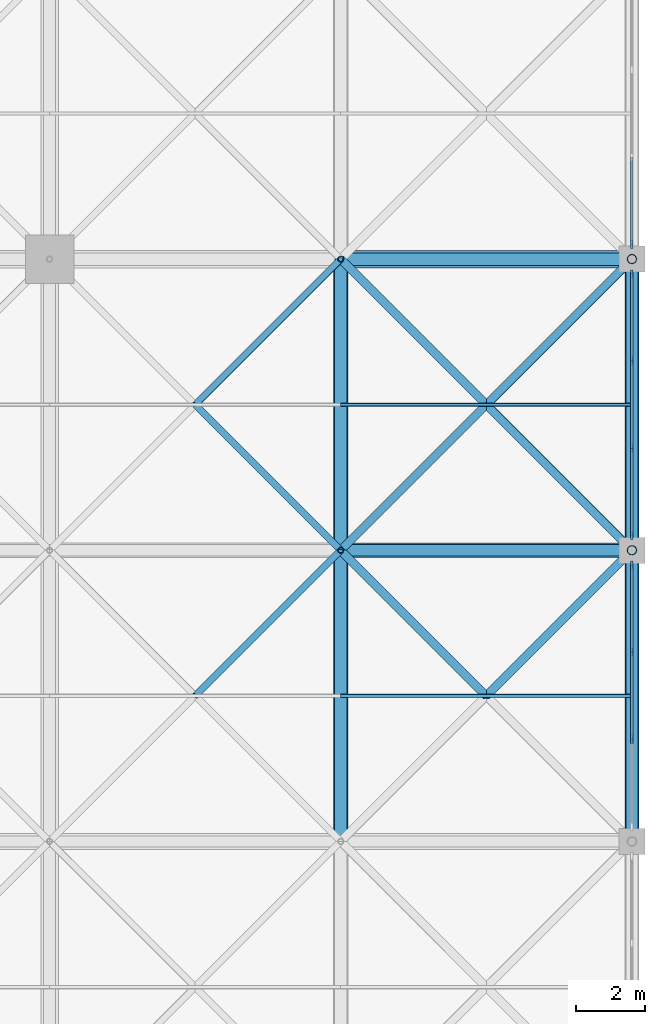
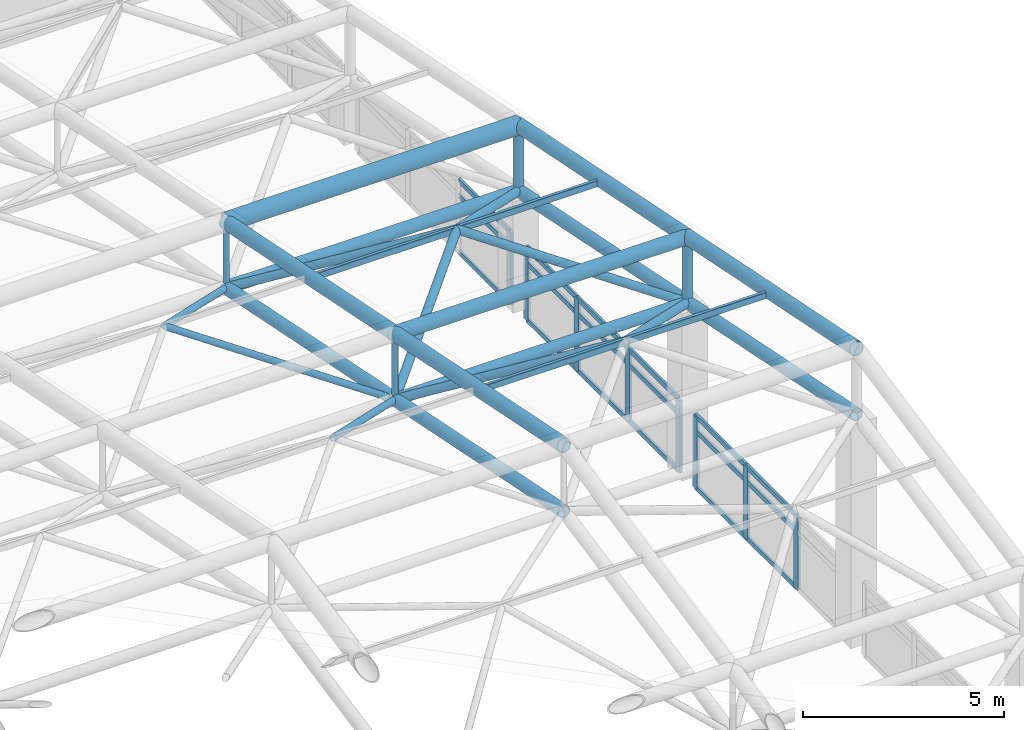
# One storey, part 64 of 110: 53 members, 3 elements without a shape of their own.
"""IFC4 building model written with IfcOpenShell, lengths in metres."""

from ifc_helpers import new_model, si_unit, direction, frame, origin, origin_2d, place, context, subcontext, project, spatial, rectangle, hollow_rectangle, hollow_circle, extrude, material, layer, layer_set, material_profile, profile_set, type_object, element, aggregate, save


model = new_model("IFC4")

# Units and contexts
model_context = context("Model", 3, precision=1e-05, world=origin(), true_north=direction((0.0, 1.0)))
body_context = subcontext(model_context, "Body", "Model", "MODEL_VIEW")
ifc_project = project(units=[si_unit("LENGTHUNIT", "METRE"), si_unit("AREAUNIT", "SQUARE_METRE"), si_unit("VOLUMEUNIT", "CUBIC_METRE"), si_unit("PLANEANGLEUNIT", "RADIAN"), si_unit("MASSUNIT", "GRAM", prefix="KILO")], contexts=[model_context])

# Site, building, storey
site_placement = place(None, origin())
site = spatial("IfcSite", under=ifc_project, at=site_placement, CompositionType="ELEMENT")
building_placement = place(site_placement, origin())
building = spatial("IfcBuilding", under=site, at=building_placement, Name="Qawsi Khor Wholesale Market", CompositionType="ELEMENT")
storey_placement = place(building_placement, frame((0.0, 0.0, 11.39990234375)))
storey = spatial("IfcBuildingStorey", under=building, at=storey_placement, Name="L02", CompositionType="ELEMENT", Elevation=11.39990234375)

# Curtain wall, members
ifc_material_1 = material(Name="Aluminium Anodised Bronze", Category="aluminium")
ifc_layer = layer(ifc_material_1, 0.199951171875, Name="Aluminium Anodised Bronze")
ifc_layer_set = layer_set([ifc_layer], Name="Aluminium Anodised Bronze")
curtain_wall_type = type_object("IfcCurtainWallType", Name="Trading Hall North-Light Curtain Wall CW-03", PredefinedType="NOTDEFINED", material=ifc_layer_set)
curtain_wall_1_placement = place(storey_placement, origin())
curtain_wall_1 = element("IfcCurtainWall", 1, at=curtain_wall_1_placement, inside=storey, type_object=curtain_wall_type, Name="Curtain wall CW-CW-03-L02-138", PredefinedType="NOTDEFINED")
ifc_material_profile_1 = material_profile(ifc_material_1, rectangle(XDim=0.074951171875, YDim=0.219970703125, at=origin_2d()), Name="ALU MULLION 75x220")
ifc_profile_set_1 = profile_set([ifc_material_profile_1], Name="Aluminium Anodised Bronze")
member_type_1 = type_object("IfcMemberType", Name="Curtain Wall Mullion CW-03 ALU MULLION 75x220", PredefinedType="MULLION", material=ifc_profile_set_1)
member_1_placement = place(storey_placement, frame((218.39990234375, 78.540771484375, -0.289794921875), z_axis=(0.0, 0.0, 1.0), x_axis=(1.0, 0.0, 0.0)))
member_1 = element("IfcMember", 2, at=member_1_placement, type_object=member_type_1, Name="Mullion CW-CW-03-L02-138-M01", PredefinedType="MULLION", context=body_context, shape_type="SweptSolid", body=[
    extrude(rectangle(XDim=0.074951171875, YDim=0.219970703125, at=origin_2d()), origin(), (0.0, 0.0, 1.0), 2.18994140625),
])
member_2_placement = place(storey_placement, frame((218.39990234375, 81.05908203125, -0.289794921875), z_axis=(0.0, 0.0, 1.0), x_axis=(1.0, 0.0, 0.0)))
member_2 = element("IfcMember", 3, at=member_2_placement, type_object=member_type_1, Name="Mullion CW-CW-03-L02-138-M02", PredefinedType="MULLION", context=body_context, shape_type="SweptSolid", body=[
    extrude(rectangle(XDim=0.074951171875, YDim=0.219970703125, at=origin_2d()), origin(), (0.0, 0.0, 1.0), 2.18994140625),
])
member_3_placement = place(storey_placement, frame((218.39990234375, 83.577392578125, -0.289794921875), z_axis=(0.0, 0.0, 1.0), x_axis=(1.0, 0.0, 0.0)))
member_3 = element("IfcMember", 4, at=member_3_placement, type_object=member_type_1, Name="Mullion CW-CW-03-L02-138-M03", PredefinedType="MULLION", context=body_context, shape_type="SweptSolid", body=[
    extrude(rectangle(XDim=0.074951171875, YDim=0.219970703125, at=origin_2d()), origin(), (0.0, 0.0, 1.0), 2.18994140625),
])

curtain_wall_2_placement = place(storey_placement, origin())
curtain_wall_2 = element("IfcCurtainWall", 5, at=curtain_wall_2_placement, inside=storey, type_object=curtain_wall_type, Name="Curtain wall CW-CW-03-L02-140", PredefinedType="NOTDEFINED")
member_4_placement = place(storey_placement, frame((218.39990234375, 84.422607421875, -0.289794921875), z_axis=(0.0, 0.0, 1.0), x_axis=(1.0, 0.0, 0.0)))
member_4 = element("IfcMember", 6, at=member_4_placement, type_object=member_type_1, Name="Mullion CW-CW-03-L02-140-M00", PredefinedType="MULLION", context=body_context, shape_type="SweptSolid", body=[
    extrude(rectangle(XDim=0.074951171875, YDim=0.219970703125, at=origin_2d()), origin(), (0.0, 0.0, 1.0), 2.18994140625),
])
member_5_placement = place(storey_placement, frame((218.39990234375, 86.94091796875, -0.289794921875), z_axis=(0.0, 0.0, 1.0), x_axis=(1.0, 0.0, 0.0)))
member_5 = element("IfcMember", 7, at=member_5_placement, type_object=member_type_1, Name="Mullion CW-CW-03-L02-140-M01", PredefinedType="MULLION", context=body_context, shape_type="SweptSolid", body=[
    extrude(rectangle(XDim=0.074951171875, YDim=0.219970703125, at=origin_2d()), origin(), (0.0, 0.0, 1.0), 2.18994140625),
])
member_6_placement = place(storey_placement, frame((218.39990234375, 89.459228515625, -0.289794921875), z_axis=(0.0, 0.0, 1.0), x_axis=(1.0, 0.0, 0.0)))
member_6 = element("IfcMember", 8, at=member_6_placement, type_object=member_type_1, Name="Mullion CW-CW-03-L02-140-M02", PredefinedType="MULLION", context=body_context, shape_type="SweptSolid", body=[
    extrude(rectangle(XDim=0.074951171875, YDim=0.219970703125, at=origin_2d()), origin(), (0.0, 0.0, 1.0), 2.18994140625),
])
member_7_placement = place(storey_placement, frame((218.39990234375, 91.9775390625, -0.289794921875), z_axis=(0.0, 0.0, 1.0), x_axis=(1.0, 0.0, 0.0)))
member_7 = element("IfcMember", 9, at=member_7_placement, type_object=member_type_1, Name="Mullion CW-CW-03-L02-140-M03", PredefinedType="MULLION", context=body_context, shape_type="SweptSolid", body=[
    extrude(rectangle(XDim=0.074951171875, YDim=0.219970703125, at=origin_2d()), origin(), (0.0, 0.0, 1.0), 2.18994140625),
])

# Curtain wall, member
curtain_wall_3_placement = place(storey_placement, origin())
curtain_wall_3 = element("IfcCurtainWall", 10, at=curtain_wall_3_placement, inside=storey, type_object=curtain_wall_type, Name="Curtain wall CW-CW-03-L02-142", PredefinedType="NOTDEFINED")
member_8_placement = place(storey_placement, frame((218.39990234375, 92.822509765625, -0.289794921875), z_axis=(0.0, 0.0, 1.0), x_axis=(1.0, 0.0, 0.0)))
member_8 = element("IfcMember", 11, at=member_8_placement, type_object=member_type_1, Name="Mullion CW-CW-03-L02-142-M00", PredefinedType="MULLION", context=body_context, shape_type="SweptSolid", body=[
    extrude(rectangle(XDim=0.074951171875, YDim=0.219970703125, at=origin_2d()), origin(), (0.0, 0.0, 1.0), 2.18994140625),
])

# Member
ifc_material_profile_2 = material_profile(ifc_material_1, rectangle(XDim=0.070068359375, YDim=0.14990234375, at=origin_2d()), Name="ALU TRANSOM 70x150")
ifc_profile_set_2 = profile_set([ifc_material_profile_2], Name="Aluminium Anodised Bronze")
member_type_2 = type_object("IfcMemberType", Name="Curtain Wall Transom CW-03 ALU TRANSOM 70x150", PredefinedType="USERDEFINED", material=ifc_profile_set_2)
member_9_placement = place(storey_placement, frame((218.39990234375, 78.540771484375, -0.27001953125), z_axis=(0.0, 1.0, 0.0), x_axis=(-1.0, 0.0, 0.0)))
member_9 = element("IfcMember", 12, at=member_9_placement, type_object=member_type_2, Name="Transom CW-CW-03-L02-138-T0_01", ObjectType="TRANSOM", PredefinedType="USERDEFINED", context=body_context, shape_type="SweptSolid", body=[
    extrude(rectangle(XDim=0.070068359375, YDim=0.14990234375, at=origin_2d()), origin(), (0.0, 0.0, 1.0), 2.518310546875),
])

member_10_placement = place(storey_placement, frame((218.39990234375, 81.05908203125, -0.27001953125), z_axis=(0.0, 1.0, 0.0), x_axis=(-1.0, 0.0, 0.0)))
member_10 = element("IfcMember", 13, at=member_10_placement, type_object=member_type_2, Name="Transom CW-CW-03-L02-138-T0_02", ObjectType="TRANSOM", PredefinedType="USERDEFINED", context=body_context, shape_type="SweptSolid", body=[
    extrude(rectangle(XDim=0.070068359375, YDim=0.14990234375, at=origin_2d()), origin(), (0.0, 0.0, 1.0), 2.518310546875),
])

member_11_placement = place(storey_placement, frame((218.39990234375, 78.540771484375, 1.4501953125), z_axis=(0.0, 1.0, 0.0), x_axis=(-1.0, 0.0, 0.0)))
member_11 = element("IfcMember", 14, at=member_11_placement, type_object=member_type_2, Name="Transom CW-CW-03-L02-138-T1_01", ObjectType="TRANSOM", PredefinedType="USERDEFINED", context=body_context, shape_type="SweptSolid", body=[
    extrude(rectangle(XDim=0.070068359375, YDim=0.14990234375, at=origin_2d()), origin(), (0.0, 0.0, 1.0), 2.518310546875),
])

member_12_placement = place(storey_placement, frame((218.39990234375, 81.05908203125, 1.4501953125), z_axis=(0.0, 1.0, 0.0), x_axis=(-1.0, 0.0, 0.0)))
member_12 = element("IfcMember", 15, at=member_12_placement, type_object=member_type_2, Name="Transom CW-CW-03-L02-138-T1_02", ObjectType="TRANSOM", PredefinedType="USERDEFINED", context=body_context, shape_type="SweptSolid", body=[
    extrude(rectangle(XDim=0.070068359375, YDim=0.14990234375, at=origin_2d()), origin(), (0.0, 0.0, 1.0), 2.518310546875),
])

member_13_placement = place(storey_placement, frame((218.39990234375, 78.540771484375, 1.900146484375), z_axis=(0.0, 1.0, 0.0), x_axis=(-1.0, 0.0, 0.0)))
member_13 = element("IfcMember", 16, at=member_13_placement, type_object=member_type_2, Name="Transom CW-CW-03-L02-138-T2_01", ObjectType="TRANSOM", PredefinedType="USERDEFINED", context=body_context, shape_type="SweptSolid", body=[
    extrude(rectangle(XDim=0.070068359375, YDim=0.14990234375, at=origin_2d()), origin(), (0.0, 0.0, 1.0), 2.518310546875),
])

member_14_placement = place(storey_placement, frame((218.39990234375, 81.05908203125, 1.900146484375), z_axis=(0.0, 1.0, 0.0), x_axis=(-1.0, 0.0, 0.0)))
member_14 = element("IfcMember", 17, at=member_14_placement, type_object=member_type_2, Name="Transom CW-CW-03-L02-138-T2_02", ObjectType="TRANSOM", PredefinedType="USERDEFINED", context=body_context, shape_type="SweptSolid", body=[
    extrude(rectangle(XDim=0.070068359375, YDim=0.14990234375, at=origin_2d()), origin(), (0.0, 0.0, 1.0), 2.518310546875),
])

aggregate(curtain_wall_1, [member_1, member_2, member_3, member_9, member_10, member_11, member_12, member_13, member_14])

member_15_placement = place(storey_placement, frame((218.39990234375, 84.422607421875, -0.27001953125), z_axis=(0.0, 1.0, 0.0), x_axis=(-1.0, 0.0, 0.0)))
member_15 = element("IfcMember", 18, at=member_15_placement, type_object=member_type_2, Name="Transom CW-CW-03-L02-140-T0_00", ObjectType="TRANSOM", PredefinedType="USERDEFINED", context=body_context, shape_type="SweptSolid", body=[
    extrude(rectangle(XDim=0.070068359375, YDim=0.14990234375, at=origin_2d()), origin(), (0.0, 0.0, 1.0), 2.518310546875),
])

member_16_placement = place(storey_placement, frame((218.39990234375, 86.94091796875, -0.27001953125), z_axis=(0.0, 1.0, 0.0), x_axis=(-1.0, 0.0, 0.0)))
member_16 = element("IfcMember", 19, at=member_16_placement, type_object=member_type_2, Name="Transom CW-CW-03-L02-140-T0_01", ObjectType="TRANSOM", PredefinedType="USERDEFINED", context=body_context, shape_type="SweptSolid", body=[
    extrude(rectangle(XDim=0.070068359375, YDim=0.14990234375, at=origin_2d()), origin(), (0.0, 0.0, 1.0), 2.518310546875),
])

member_17_placement = place(storey_placement, frame((218.39990234375, 89.459228515625, -0.27001953125), z_axis=(0.0, 1.0, 0.0), x_axis=(-1.0, 0.0, 0.0)))
member_17 = element("IfcMember", 20, at=member_17_placement, type_object=member_type_2, Name="Transom CW-CW-03-L02-140-T0_02", ObjectType="TRANSOM", PredefinedType="USERDEFINED", context=body_context, shape_type="SweptSolid", body=[
    extrude(rectangle(XDim=0.070068359375, YDim=0.14990234375, at=origin_2d()), origin(), (0.0, 0.0, 1.0), 2.518310546875),
])

member_18_placement = place(storey_placement, frame((218.39990234375, 84.422607421875, 1.4501953125), z_axis=(0.0, 1.0, 0.0), x_axis=(-1.0, 0.0, 0.0)))
member_18 = element("IfcMember", 21, at=member_18_placement, type_object=member_type_2, Name="Transom CW-CW-03-L02-140-T1_00", ObjectType="TRANSOM", PredefinedType="USERDEFINED", context=body_context, shape_type="SweptSolid", body=[
    extrude(rectangle(XDim=0.070068359375, YDim=0.14990234375, at=origin_2d()), origin(), (0.0, 0.0, 1.0), 2.518310546875),
])

member_19_placement = place(storey_placement, frame((218.39990234375, 86.94091796875, 1.4501953125), z_axis=(0.0, 1.0, 0.0), x_axis=(-1.0, 0.0, 0.0)))
member_19 = element("IfcMember", 22, at=member_19_placement, type_object=member_type_2, Name="Transom CW-CW-03-L02-140-T1_01", ObjectType="TRANSOM", PredefinedType="USERDEFINED", context=body_context, shape_type="SweptSolid", body=[
    extrude(rectangle(XDim=0.070068359375, YDim=0.14990234375, at=origin_2d()), origin(), (0.0, 0.0, 1.0), 2.518310546875),
])

member_20_placement = place(storey_placement, frame((218.39990234375, 89.459228515625, 1.4501953125), z_axis=(0.0, 1.0, 0.0), x_axis=(-1.0, 0.0, 0.0)))
member_20 = element("IfcMember", 23, at=member_20_placement, type_object=member_type_2, Name="Transom CW-CW-03-L02-140-T1_02", ObjectType="TRANSOM", PredefinedType="USERDEFINED", context=body_context, shape_type="SweptSolid", body=[
    extrude(rectangle(XDim=0.070068359375, YDim=0.14990234375, at=origin_2d()), origin(), (0.0, 0.0, 1.0), 2.518310546875),
])

member_21_placement = place(storey_placement, frame((218.39990234375, 84.422607421875, 1.900146484375), z_axis=(0.0, 1.0, 0.0), x_axis=(-1.0, 0.0, 0.0)))
member_21 = element("IfcMember", 24, at=member_21_placement, type_object=member_type_2, Name="Transom CW-CW-03-L02-140-T2_00", ObjectType="TRANSOM", PredefinedType="USERDEFINED", context=body_context, shape_type="SweptSolid", body=[
    extrude(rectangle(XDim=0.070068359375, YDim=0.14990234375, at=origin_2d()), origin(), (0.0, 0.0, 1.0), 2.518310546875),
])

member_22_placement = place(storey_placement, frame((218.39990234375, 86.94091796875, 1.900146484375), z_axis=(0.0, 1.0, 0.0), x_axis=(-1.0, 0.0, 0.0)))
member_22 = element("IfcMember", 25, at=member_22_placement, type_object=member_type_2, Name="Transom CW-CW-03-L02-140-T2_01", ObjectType="TRANSOM", PredefinedType="USERDEFINED", context=body_context, shape_type="SweptSolid", body=[
    extrude(rectangle(XDim=0.070068359375, YDim=0.14990234375, at=origin_2d()), origin(), (0.0, 0.0, 1.0), 2.518310546875),
])

member_23_placement = place(storey_placement, frame((218.39990234375, 89.459228515625, 1.900146484375), z_axis=(0.0, 1.0, 0.0), x_axis=(-1.0, 0.0, 0.0)))
member_23 = element("IfcMember", 26, at=member_23_placement, type_object=member_type_2, Name="Transom CW-CW-03-L02-140-T2_02", ObjectType="TRANSOM", PredefinedType="USERDEFINED", context=body_context, shape_type="SweptSolid", body=[
    extrude(rectangle(XDim=0.070068359375, YDim=0.14990234375, at=origin_2d()), origin(), (0.0, 0.0, 1.0), 2.518310546875),
])

aggregate(curtain_wall_2, [member_4, member_5, member_6, member_7, member_15, member_16, member_17, member_18, member_19, member_20, member_21, member_22, member_23])

member_24_placement = place(storey_placement, frame((218.39990234375, 92.822509765625, -0.27001953125), z_axis=(0.0, 1.0, 0.0), x_axis=(-1.0, 0.0, 0.0)))
member_24 = element("IfcMember", 27, at=member_24_placement, type_object=member_type_2, Name="Transom CW-CW-03-L02-142-T0_00", ObjectType="TRANSOM", PredefinedType="USERDEFINED", context=body_context, shape_type="SweptSolid", body=[
    extrude(rectangle(XDim=0.070068359375, YDim=0.14990234375, at=origin_2d()), origin(), (0.0, 0.0, 1.0), 2.518310546875),
])

member_25_placement = place(storey_placement, frame((218.39990234375, 92.822509765625, 1.4501953125), z_axis=(0.0, 1.0, 0.0), x_axis=(-1.0, 0.0, 0.0)))
member_25 = element("IfcMember", 28, at=member_25_placement, type_object=member_type_2, Name="Transom CW-CW-03-L02-142-T1_00", ObjectType="TRANSOM", PredefinedType="USERDEFINED", context=body_context, shape_type="SweptSolid", body=[
    extrude(rectangle(XDim=0.070068359375, YDim=0.14990234375, at=origin_2d()), origin(), (0.0, 0.0, 1.0), 2.518310546875),
])

member_26_placement = place(storey_placement, frame((218.39990234375, 92.822509765625, 1.900146484375), z_axis=(0.0, 1.0, 0.0), x_axis=(-1.0, 0.0, 0.0)))
member_26 = element("IfcMember", 29, at=member_26_placement, type_object=member_type_2, Name="Transom CW-CW-03-L02-142-T2_00", ObjectType="TRANSOM", PredefinedType="USERDEFINED", context=body_context, shape_type="SweptSolid", body=[
    extrude(rectangle(XDim=0.070068359375, YDim=0.14990234375, at=origin_2d()), origin(), (0.0, 0.0, 1.0), 2.518310546875),
])

aggregate(curtain_wall_3, [member_8, member_24, member_25, member_26])

# Members
ifc_material_2 = material(Name="Steel S355", Category="steel")
ifc_material_profile_3 = material_profile(ifc_material_2, hollow_circle(Radius=0.177734375, WallThickness=0.01611328125, at=origin_2d()), Name="CHS 355.6x16.0")
ifc_profile_set_3 = profile_set([ifc_material_profile_3], Name="Steel S355")
member_type_3 = type_object("IfcMemberType", Name="Space-Frame Bottom Chord CHS 355.6x16.0", PredefinedType="CHORD", material=ifc_profile_set_3)
for number, where, z_axis, x_axis, name in (
    (30, (210.0, 75.60009765625, 6.77001953125), (0.0, 0.980129990483, -0.1983562496), (-1.0, 0.0, 0.0), "Space frame bottom chord Y EH (25,9)"),
    (31, (210.0, 84.0, 5.070068359375), (0.0, 0.980129990483, -0.1983562496), (-1.0, 0.0, 0.0), "Space frame bottom chord Y EH (25,10)"),
):
    element("IfcMember", number, at=place(storey_placement, frame(where, z_axis=z_axis, x_axis=x_axis)), inside=storey, type_object=member_type_3, Name=name, PredefinedType="CHORD", context=body_context, shape_type="SweptSolid", body=[
        extrude(hollow_circle(Radius=0.177734375, WallThickness=0.01611328125, at=origin_2d()), origin(), (0.0, 0.0, 1.0), 8.5703125),
    ])
member_27_placement = place(storey_placement, frame((210.0, 92.39990234375, 3.3701171875), z_axis=(1.0, 0.0, 0.0), x_axis=(0.0, 1.0, 0.0)))
element("IfcMember", 32, at=member_27_placement, inside=storey, type_object=member_type_3, Name="Space frame bottom chord X EH (25,11)", PredefinedType="CHORD", context=body_context, shape_type="SweptSolid", body=[
    extrude(hollow_circle(Radius=0.177734375, WallThickness=0.01611328125, at=origin_2d()), origin(), (0.0, 0.0, 1.0), 8.39990234375),
])
for number, where, z_axis, x_axis, name in (
    (33, (218.39990234375, 75.60009765625, 6.77001953125), (0.0, 0.980129990483, -0.1983562496), (-1.0, 0.0, 0.0), "Space frame bottom chord Y EH (26,9)"),
    (34, (218.39990234375, 84.0, 5.070068359375), (0.0, 0.980129990483, -0.1983562496), (-1.0, 0.0, 0.0), "Space frame bottom chord Y EH (26,10)"),
):
    element("IfcMember", number, at=place(storey_placement, frame(where, z_axis=z_axis, x_axis=x_axis)), inside=storey, type_object=member_type_3, Name=name, PredefinedType="CHORD", context=body_context, shape_type="SweptSolid", body=[
        extrude(hollow_circle(Radius=0.177734375, WallThickness=0.01611328125, at=origin_2d()), origin(), (0.0, 0.0, 1.0), 8.5703125),
    ])
ifc_material_profile_4 = material_profile(ifc_material_2, hollow_circle(Radius=0.136474609375, WallThickness=0.012451171875, at=origin_2d()), Name="CHS 273.0x12.5")
ifc_profile_set_4 = profile_set([ifc_material_profile_4], Name="Steel S355")
member_type_4 = type_object("IfcMemberType", Name="Space-Frame Edge Post CHS 273.0x12.5", PredefinedType="POST", material=ifc_profile_set_4)
for number, where, z_axis, x_axis, name in (
    (35, (218.39990234375, 84.0, 5.070068359375), (0.0, 0.0, 1.0), (1.0, 0.0, 0.0), "Space frame post EH (26,10)"),
    (36, (218.39990234375, 92.39990234375, 3.3701171875), (0.0, 0.0, 1.0), (1.0, 0.0, 0.0), "Space frame post EH (26,11)"),
):
    element("IfcMember", number, at=place(storey_placement, frame(where, z_axis=z_axis, x_axis=x_axis)), inside=storey, type_object=member_type_4, Name=name, PredefinedType="POST", context=body_context, shape_type="SweptSolid", body=[
        extrude(hollow_circle(Radius=0.136474609375, WallThickness=0.012451171875, at=origin_2d()), origin(), (0.0, 0.0, 1.0), 2.0),
    ])
ifc_material_profile_5 = material_profile(ifc_material_2, hollow_circle(Radius=0.122314453125, WallThickness=0.012451171875, at=origin_2d()), Name="CHS 244.5x12.5")
ifc_profile_set_5 = profile_set([ifc_material_profile_5], Name="Steel S355")
member_type_5 = type_object("IfcMemberType", Name="Space-Frame Heavy Diagonal CHS 244.5x12.5", PredefinedType="POST", material=ifc_profile_set_5)
for number, where, z_axis, x_axis, name in (
    (37, (218.39990234375, 84.0, 5.070068359375), (-0.637511741089, -0.637511741089, 0.432617105474), (0.707106781187, -0.707106781187, 0.0), "Space frame diagonal EH (25,9)-3"),
    (38, (210.0, 84.0, 5.070068359375), (0.637511741089, -0.637511741089, 0.432617105474), (0.707106781187, 0.707106781187, 0.0), "Space frame diagonal EH (25,9)-4"),
):
    element("IfcMember", number, at=place(storey_placement, frame(where, z_axis=z_axis, x_axis=x_axis)), inside=storey, type_object=member_type_5, Name=name, PredefinedType="POST", context=body_context, shape_type="SweptSolid", body=[
        extrude(hollow_circle(Radius=0.122314453125, WallThickness=0.012451171875, at=origin_2d()), origin(), (0.0, 0.0, 1.0), 6.588134765625),
    ])
for number, where, z_axis, x_axis, name in (
    (39, (210.0, 84.0, 5.070068359375), (0.694211389158, 0.694211389158, 0.190108112208), (-0.707106781187, 0.707106781187, 0.0), "Space frame diagonal EH (25,10)-1"),
    (40, (218.39990234375, 84.0, 5.070068359375), (-0.694211389158, 0.694211389158, 0.190108112208), (-0.707106781187, -0.707106781187, 0.0), "Space frame diagonal EH (25,10)-2"),
):
    element("IfcMember", number, at=place(storey_placement, frame(where, z_axis=z_axis, x_axis=x_axis)), inside=storey, type_object=member_type_5, Name=name, PredefinedType="POST", context=body_context, shape_type="SweptSolid", body=[
        extrude(hollow_circle(Radius=0.122314453125, WallThickness=0.012451171875, at=origin_2d()), origin(), (0.0, 0.0, 1.0), 6.050048828125),
    ])
for number, where, z_axis, x_axis, name in (
    (41, (218.39990234375, 92.39990234375, 3.3701171875), (-0.637511741089, -0.637511741089, 0.432617105474), (0.707106781187, -0.707106781187, 0.0), "Space frame diagonal EH (25,10)-3"),
    (42, (210.0, 92.39990234375, 3.3701171875), (0.637511741089, -0.637511741089, 0.432617105474), (0.707106781187, 0.707106781187, 0.0), "Space frame diagonal EH (25,10)-4"),
):
    element("IfcMember", number, at=place(storey_placement, frame(where, z_axis=z_axis, x_axis=x_axis)), inside=storey, type_object=member_type_5, Name=name, PredefinedType="POST", context=body_context, shape_type="SweptSolid", body=[
        extrude(hollow_circle(Radius=0.122314453125, WallThickness=0.012451171875, at=origin_2d()), origin(), (0.0, 0.0, 1.0), 6.588134765625),
    ])
ifc_material_profile_6 = material_profile(ifc_material_2, hollow_circle(Radius=0.25390625, WallThickness=0.02490234375, at=origin_2d()), Name="CHS 508.0x25.0")
ifc_profile_set_6 = profile_set([ifc_material_profile_6], Name="Steel S355")
member_type_6 = type_object("IfcMemberType", Name="Space-Frame Main Chord CHS 508.0x25.0", PredefinedType="CHORD", material=ifc_profile_set_6)
member_28_placement = place(storey_placement, frame((210.0, 92.39990234375, 5.3701171875), z_axis=(1.0, 0.0, 0.0), x_axis=(0.0, 1.0, 0.0)))
element("IfcMember", 43, at=member_28_placement, inside=storey, type_object=member_type_6, Name="Space frame top chord X EH (25,11)", PredefinedType="CHORD", context=body_context, shape_type="SweptSolid", body=[
    extrude(hollow_circle(Radius=0.25390625, WallThickness=0.02490234375, at=origin_2d()), origin(), (0.0, 0.0, 1.0), 8.39990234375),
])
ifc_material_profile_7 = material_profile(ifc_material_2, hollow_rectangle(XDim=0.10009765625, YDim=0.199951171875, WallThickness=0.008056640625, InnerFilletRadius=0.008056640625, OuterFilletRadius=0.01611328125, at=origin_2d()), Name="RHS 200x100x8.0")
ifc_profile_set_7 = profile_set([ifc_material_profile_7], Name="Steel S355")
member_type_7 = type_object("IfcMemberType", Name="Space-Frame Purlin RHS 200x100x8.0", PredefinedType="PURLIN", material=ifc_profile_set_7)
for number, where, z_axis, x_axis, name in (
    (44, (210.0, 79.800048828125, 7.920166015625), (1.0, 0.0, 0.0), (0.0, 1.0, 0.0), "Space frame purlin EH (25,9)"),
    (45, (210.0, 88.199951171875, 6.22021484375), (1.0, 0.0, 0.0), (0.0, 1.0, 0.0), "Space frame purlin EH (25,10)"),
):
    element("IfcMember", number, at=place(storey_placement, frame(where, z_axis=z_axis, x_axis=x_axis)), inside=storey, type_object=member_type_7, Name=name, PredefinedType="PURLIN", context=body_context, shape_type="SweptSolid", body=[
        extrude(hollow_rectangle(XDim=0.10009765625, YDim=0.199951171875, WallThickness=0.008056640625, InnerFilletRadius=0.008056640625, OuterFilletRadius=0.01611328125, at=origin_2d()), origin(), (0.0, 0.0, 1.0), 8.39990234375),
    ])
ifc_material_profile_8 = material_profile(ifc_material_2, hollow_circle(Radius=0.161865234375, WallThickness=0.01611328125, at=origin_2d()), Name="CHS 323.9x16.0")
ifc_profile_set_8 = profile_set([ifc_material_profile_8], Name="Steel S355")
member_type_8 = type_object("IfcMemberType", Name="Space-Frame Secondary Chord CHS 323.9x16.0", PredefinedType="CHORD", material=ifc_profile_set_8)
member_29_placement = place(storey_placement, frame((210.0, 84.0, 5.070068359375), z_axis=(1.0, 0.0, 0.0), x_axis=(0.0, 1.0, 0.0)))
element("IfcMember", 46, at=member_29_placement, inside=storey, type_object=member_type_8, Name="Space frame bottom chord X EH (25,10)", PredefinedType="CHORD", context=body_context, shape_type="SweptSolid", body=[
    extrude(hollow_circle(Radius=0.161865234375, WallThickness=0.01611328125, at=origin_2d()), origin(), (0.0, 0.0, 1.0), 8.39990234375),
])
ifc_material_profile_9 = material_profile(ifc_material_2, hollow_circle(Radius=0.096923828125, WallThickness=0.008056640625, at=origin_2d()), Name="CHS 193.7x8.0")
ifc_profile_set_9 = profile_set([ifc_material_profile_9], Name="Steel S355")
member_type_9 = type_object("IfcMemberType", Name="Space-Frame Secondary Diagonal CHS 193.7x8.0", PredefinedType="RAFTER", material=ifc_profile_set_9)
member_30_placement = place(storey_placement, frame((210.0, 84.0, 5.070068359375), z_axis=(-0.637511741089, -0.637511741089, 0.432617105474), x_axis=(0.707106781187, -0.707106781187, 0.0)))
element("IfcMember", 47, at=member_30_placement, inside=storey, type_object=member_type_9, Name="Space frame diagonal EH (24,9)-3", PredefinedType="RAFTER", context=body_context, shape_type="SweptSolid", body=[
    extrude(hollow_circle(Radius=0.096923828125, WallThickness=0.008056640625, at=origin_2d()), origin(), (0.0, 0.0, 1.0), 6.588134765625),
])
member_31_placement = place(storey_placement, frame((210.0, 84.0, 5.070068359375), z_axis=(-0.694211389158, 0.694211389158, 0.190108112208), x_axis=(-0.707106781187, -0.707106781187, 0.0)))
element("IfcMember", 48, at=member_31_placement, inside=storey, type_object=member_type_9, Name="Space frame diagonal EH (24,10)-2", PredefinedType="RAFTER", context=body_context, shape_type="SweptSolid", body=[
    extrude(hollow_circle(Radius=0.096923828125, WallThickness=0.008056640625, at=origin_2d()), origin(), (0.0, 0.0, 1.0), 6.050048828125),
])
member_32_placement = place(storey_placement, frame((210.0, 92.39990234375, 3.3701171875), z_axis=(-0.637511741089, -0.637511741089, 0.432617105474), x_axis=(0.707106781187, -0.707106781187, 0.0)))
element("IfcMember", 49, at=member_32_placement, inside=storey, type_object=member_type_9, Name="Space frame diagonal EH (24,10)-3", PredefinedType="RAFTER", context=body_context, shape_type="SweptSolid", body=[
    extrude(hollow_circle(Radius=0.096923828125, WallThickness=0.008056640625, at=origin_2d()), origin(), (0.0, 0.0, 1.0), 6.588134765625),
])
ifc_material_profile_10 = material_profile(ifc_material_2, hollow_circle(Radius=0.203125, WallThickness=0.02001953125, at=origin_2d()), Name="CHS 406.4x20.0")
ifc_profile_set_10 = profile_set([ifc_material_profile_10], Name="Steel S355")
member_type_10 = type_object("IfcMemberType", Name="Space-Frame Top Chord CHS 406.4x20.0", PredefinedType="CHORD", material=ifc_profile_set_10)
member_33_placement = place(storey_placement, frame((210.0, 75.60009765625, 8.77001953125), z_axis=(0.0, 0.980129990483, -0.1983562496), x_axis=(-1.0, 0.0, 0.0)))
element("IfcMember", 50, at=member_33_placement, inside=storey, type_object=member_type_10, Name="Space frame top chord Y EH (25,9)", PredefinedType="CHORD", context=body_context, shape_type="SweptSolid", body=[
    extrude(hollow_circle(Radius=0.203125, WallThickness=0.02001953125, at=origin_2d()), origin(), (0.0, 0.0, 1.0), 8.5703125),
])
member_34_placement = place(storey_placement, frame((210.0, 84.0, 7.070068359375), z_axis=(1.0, 0.0, 0.0), x_axis=(0.0, 1.0, 0.0)))
element("IfcMember", 51, at=member_34_placement, inside=storey, type_object=member_type_10, Name="Space frame top chord X EH (25,10)", PredefinedType="CHORD", context=body_context, shape_type="SweptSolid", body=[
    extrude(hollow_circle(Radius=0.203125, WallThickness=0.02001953125, at=origin_2d()), origin(), (0.0, 0.0, 1.0), 8.39990234375),
])
for number, where, z_axis, x_axis, name in (
    (52, (210.0, 84.0, 7.070068359375), (0.0, 0.980129990483, -0.1983562496), (-1.0, 0.0, 0.0), "Space frame top chord Y EH (25,10)"),
    (53, (218.39990234375, 75.60009765625, 8.77001953125), (0.0, 0.980129990483, -0.1983562496), (-1.0, 0.0, 0.0), "Space frame top chord Y EH (26,9)"),
    (54, (218.39990234375, 84.0, 7.070068359375), (0.0, 0.980129990483, -0.1983562496), (-1.0, 0.0, 0.0), "Space frame top chord Y EH (26,10)"),
):
    element("IfcMember", number, at=place(storey_placement, frame(where, z_axis=z_axis, x_axis=x_axis)), inside=storey, type_object=member_type_10, Name=name, PredefinedType="CHORD", context=body_context, shape_type="SweptSolid", body=[
        extrude(hollow_circle(Radius=0.203125, WallThickness=0.02001953125, at=origin_2d()), origin(), (0.0, 0.0, 1.0), 8.5703125),
    ])
ifc_material_profile_11 = material_profile(ifc_material_2, hollow_circle(Radius=0.084228515625, WallThickness=0.008056640625, at=origin_2d()), Name="CHS 168.3x8.0")
ifc_profile_set_11 = profile_set([ifc_material_profile_11], Name="Steel S355")
member_type_11 = type_object("IfcMemberType", Name="Space-Frame Vertical Strut CHS 168.3x8.0", PredefinedType="STRUT", material=ifc_profile_set_11)
for number, where, z_axis, x_axis, name in (
    (55, (210.0, 84.0, 5.070068359375), (0.0, 0.0, 1.0), (1.0, 0.0, 0.0), "Space frame post EH (25,10)"),
    (56, (210.0, 92.39990234375, 3.3701171875), (0.0, 0.0, 1.0), (1.0, 0.0, 0.0), "Space frame post EH (25,11)"),
):
    element("IfcMember", number, at=place(storey_placement, frame(where, z_axis=z_axis, x_axis=x_axis)), inside=storey, type_object=member_type_11, Name=name, PredefinedType="STRUT", context=body_context, shape_type="SweptSolid", body=[
        extrude(hollow_circle(Radius=0.084228515625, WallThickness=0.008056640625, at=origin_2d()), origin(), (0.0, 0.0, 1.0), 2.0),
    ])

save(model, "model.ifc")
